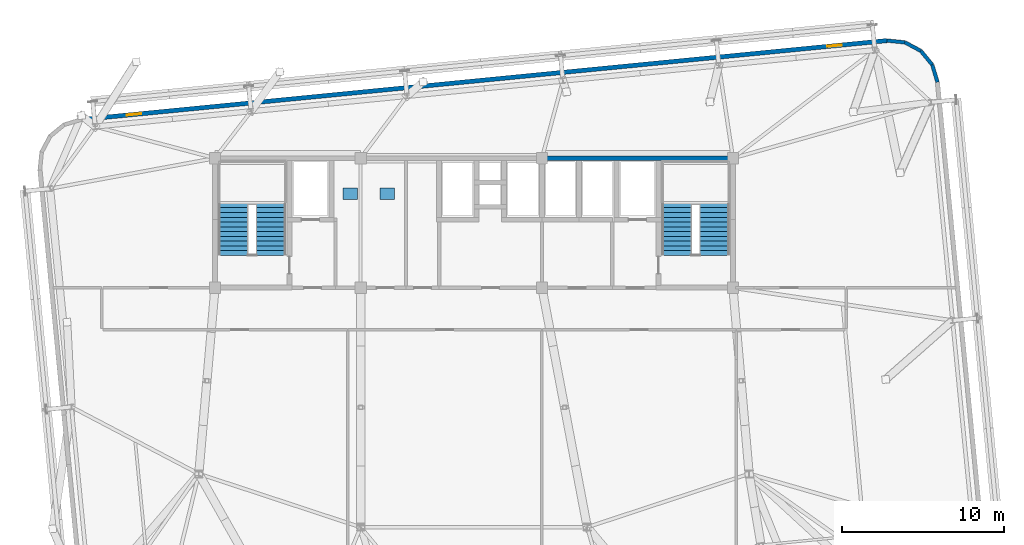
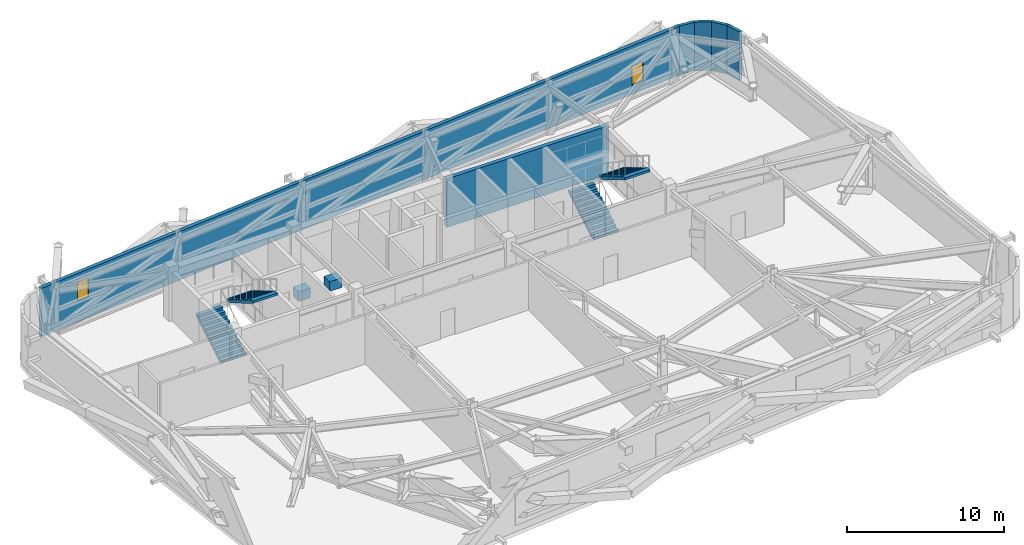
# One storey, part 23 of 24: 6 walls, 4 stair flights, 2 discrete accessories, 2 windows, 2 openings, 2 elements without a shape of their own.
"""IFC4 building model written with IfcOpenShell, lengths in metres."""

from ifc_helpers import new_model, si_unit, direction, frame, frame_2d, origin, origin_2d, place, context, subcontext, project, spatial, polyline, rectangle, outline, extrude, source, transform, mapped, material, layer, layer_set, type_object, element, fill, aggregate, save


model = new_model("IFC4")

# Units and contexts
model_context = context("Model", 3, precision=1e-05, world=origin(), true_north=direction((0.0, 1.0)))
body_context = subcontext(model_context, "Body", "Model", "MODEL_VIEW")
ifc_project = project(units=[si_unit("LENGTHUNIT", "METRE"), si_unit("AREAUNIT", "SQUARE_METRE"), si_unit("VOLUMEUNIT", "CUBIC_METRE"), si_unit("PLANEANGLEUNIT", "RADIAN"), si_unit("MASSUNIT", "GRAM", prefix="KILO")], contexts=[model_context])

# Site, building, storey
site_placement = place(None, origin())
site = spatial("IfcSite", under=ifc_project, at=site_placement, CompositionType="ELEMENT")
building_placement = place(site_placement, origin())
building = spatial("IfcBuilding", under=site, at=building_placement, Name="Taldren Reach Tower", CompositionType="ELEMENT")
storey_placement = place(building_placement, frame((0.0, 0.0, 112.35009765625)))
storey = spatial("IfcBuildingStorey", under=building, at=storey_placement, Name="L34", CompositionType="ELEMENT", Elevation=112.35009765625)

# Walls
ifc_material_1 = material(Name="Pale Champagne Anodised Aluminium Cladding", Category="aluminium")
ifc_layer_1 = layer(ifc_material_1, 0.04, Name="Pale Champagne Anodised Aluminium Cladding", Category="aluminium")
ifc_material_2 = material(Name="Mineral Wool Acoustic Insulation", Category="insulation")
ifc_layer_2 = layer(ifc_material_2, 0.06, Name="Mineral Wool Acoustic Insulation", Category="insulation")
ifc_material_3 = material(Name="Steel Gr 350 (C350L0)", Category="steel")
ifc_layer_3 = layer(ifc_material_3, 0.12, Name="Steel Gr 350 (C350L0)", Category="steel")
ifc_layer_set_1 = layer_set([ifc_layer_1, ifc_layer_2, ifc_layer_3], Name="Pale Champagne Aluminium Cladding and Steel Gr 350 Stud Framing")
wall_type_1 = type_object("IfcWallType", Name="EW-CRN-220", PredefinedType="SOLIDWALL", material=ifc_layer_set_1)
shared_shape_1 = source(origin(), body_context, "Body", "SweptSolid", [
    extrude(rectangle(XDim=1.11572265625, YDim=0.219970703125, at=frame_2d((0.557861328125, 0.0))), origin(), (0.0, 0.0, 1.0), 3.77978515625),
])
wall_1_placement = place(storey_placement, frame((63.314208984375, 37.766357421875, 0.0), z_axis=(0.0, 0.0, 1.0), x_axis=(-0.634095287989, 0.773254916409, 0.0)))
element("IfcWall", 1, at=wall_1_placement, inside=storey, type_object=wall_type_1, Name="Rounded-corner pale-metal facade wall L34-NE2", PredefinedType="SOLIDWALL", context=body_context, shape_type="MappedRepresentation", body=[
    mapped(shared_shape_1, transform((0.0, 0.0, 0.0), scale=1.0)),
])
shared_shape_2 = source(origin(), body_context, "Body", "SweptSolid", [
    extrude(rectangle(XDim=1.115966796875, YDim=0.219970703125, at=frame_2d((0.55810546875, 0.0))), origin(), (0.0, 0.0, 1.0), 3.77978515625),
])
for number, where, z_axis, x_axis, name in (
    (2, (63.6376953125, 36.6982421875, 0.0), (0.0, 0.0, 1.0), (-0.289855603468, 0.957070388811, 0.0), "Rounded-corner pale-metal facade wall L34-NE1"),
    (3, (62.606689453125, 38.629150390625, 0.0), (0.0, 0.0, 1.0), (-0.881655534635, 0.471893545461, 0.0), "Rounded-corner pale-metal facade wall L34-NE3"),
    (4, (61.622802734375, 39.15576171875, 0.0), (0.0, 0.0, 1.0), (-0.995142755671, 0.09844234778, 0.0), "Rounded-corner pale-metal facade wall L34-NE4"),
):
    element("IfcWall", number, at=place(storey_placement, frame(where, z_axis=z_axis, x_axis=x_axis)), inside=storey, type_object=wall_type_1, Name=name, PredefinedType="SOLIDWALL", context=body_context, shape_type="MappedRepresentation", body=[
        mapped(shared_shape_2, transform((0.0, 0.0, 0.0), scale=1.0)),
    ])

# Wall, openings, windows
ifc_material_4 = material(Name="Perforated Anodised Aluminium Acoustic Liner", Category="aluminium")
ifc_layer_4 = layer(ifc_material_4, 0.04, Name="Perforated Anodised Aluminium Acoustic Liner", Category="aluminium")
ifc_layer_5 = layer(ifc_material_2, 0.08, Name="Mineral Wool Acoustic Insulation", Category="insulation")
ifc_layer_6 = layer(ifc_material_3, 0.15, Name="Steel Gr 350 (C350L0)", Category="steel")
ifc_layer_set_2 = layer_set([ifc_layer_4, ifc_layer_5, ifc_layer_6], Name="Perforated Anodised Aluminium Liner and Steel Gr 350 Stud Framing")
wall_type_2 = type_object("IfcWallType", Name="EW-PLT-270", PredefinedType="SOLIDWALL", material=ifc_layer_set_2)
shared_shape_3 = source(origin(), body_context, "Body", "SweptSolid", [
    extrude(rectangle(XDim=49.999755859375, YDim=0.27001953125, at=frame_2d((25.0, 0.0))), origin(), (0.0, 0.0, 1.0), 3.77978515625),
])
wall_2_placement = place(storey_placement, frame((60.51220703125, 39.265625, 0.0), z_axis=(0.0, 0.0, 1.0), x_axis=(-0.995227362914, -0.0975832778, 0.0)))
wall_2 = element("IfcWall", 5, at=wall_2_placement, inside=storey, type_object=wall_type_2, Name="Plant floor perimeter enclosure wall L34-N", PredefinedType="SOLIDWALL", context=body_context, shape_type="MappedRepresentation", body=[
    mapped(shared_shape_3, transform((0.0, 0.0, 0.0), scale=1.0)),
])
shared_shape_4 = source(origin(), body_context, "Body", "SweptSolid", [
    extrude(rectangle(XDim=0.89990234375, YDim=1.5, at=frame_2d((0.449951171875, 0.75))), frame((0.0, 0.14501953125, 0.0), z_axis=(0.0, -1.0, 0.0), x_axis=(1.0, 0.0, 0.0)), (0.0, 0.0, 1.0), 0.2900390625),
])
opening_1_placement = place(wall_2_placement, frame((2.800048828125, 0.0, 0.699951171875)))
opening_1 = element("IfcOpeningElement", 6, at=opening_1_placement, cuts=wall_2, Name="Opening W-0915", PredefinedType="OPENING", context=body_context, shape_type="MappedRepresentation", body=[
    mapped(shared_shape_4, transform((0.0, 0.0, 0.0), scale=1.0)),
])
opening_2_placement = place(wall_2_placement, frame((46.300048828125, 0.0, 1.60009765625)))
opening_2 = element("IfcOpeningElement", 7, at=opening_2_placement, cuts=wall_2, Name="Opening W-0915", PredefinedType="OPENING", context=body_context, shape_type="MappedRepresentation", body=[
    mapped(shared_shape_4, transform((0.0, 0.0, 0.0), scale=1.0)),
])
ifc_material_5 = material(Name="Thermally Broken Aluminium and Low-E IGU", Category="aluminium")
window_type = type_object("IfcWindowType", Name="WN-REF-0900", PartitioningType="SINGLE_PANEL", PredefinedType="WINDOW", material=ifc_material_5)
shared_shape_5 = source(origin(), body_context, "Body", "SweptSolid", [
    extrude(rectangle(XDim=0.89990234375, YDim=1.5, at=frame_2d((0.449951171875, 0.75))), frame((0.0, 0.030029296875, 0.0), z_axis=(0.0, -1.0, 0.0), x_axis=(1.0, 0.0, 0.0)), (0.0, 0.0, 1.0), 0.06005859375),
])
window_1_placement = place(opening_1_placement, origin())
window_1 = element("IfcWindow", 8, at=window_1_placement, inside=storey, type_object=window_type, Name="Refuge area daylight window L34-1", OverallHeight=1.5, OverallWidth=0.89990234375, PartitioningType="SINGLE_PANEL", PredefinedType="WINDOW", context=body_context, shape_type="MappedRepresentation", body=[
    mapped(shared_shape_5, transform((0.0, 0.0, 0.0), scale=1.0)),
])
fill(opening_1, window_1)
window_2_placement = place(opening_2_placement, origin())
window_2 = element("IfcWindow", 9, at=window_2_placement, inside=storey, type_object=window_type, Name="Refuge area daylight window L34-2", OverallHeight=1.5, OverallWidth=0.89990234375, PartitioningType="SINGLE_PANEL", PredefinedType="WINDOW", context=body_context, shape_type="MappedRepresentation", body=[
    mapped(shared_shape_5, transform((0.0, 0.0, 0.0), scale=1.0)),
])
fill(opening_2, window_2)

# Wall
ifc_material_6 = material(Name="Concrete S65 (65 MPa)", Category="concrete")
ifc_layer_7 = layer(ifc_material_6, 0.300048828125)
ifc_layer_set_3 = layer_set([ifc_layer_7], Name="Concrete S65 (65 MPa)")
wall_type_3 = type_object("IfcWallType", Name="IW-CORE-300", PredefinedType="SHEAR", material=ifc_layer_set_3)
shared_shape_6 = source(origin(), body_context, "Body", "SweptSolid", [
    extrude(rectangle(XDim=11.949951171875, YDim=0.300048828125, at=frame_2d((5.97509765625, 0.0))), origin(), (0.0, 0.0, 1.0), 3.77978515625),
])
wall_3_placement = place(storey_placement, frame((39.199951171875, 32.0, 0.0), z_axis=(0.0, 0.0, 1.0), x_axis=(1.0, 0.0, 0.0)))
element("IfcWall", 10, at=wall_3_placement, inside=storey, type_object=wall_type_3, Name="Rear Core Shear Wall W-CORE-L34-NORTH3", PredefinedType="SHEAR", context=body_context, shape_type="MappedRepresentation", body=[
    mapped(shared_shape_6, transform((0.0, 0.0, 0.0), scale=1.0)),
])

# Stair, stair flights
ifc_material_7 = material(Name="Concrete S50 (50 MPa)", Category="concrete")
stair_type = type_object("IfcStairType", Name="ST-HT-420", PredefinedType="HALF_TURN_STAIR", material=ifc_material_7)
stair_1_placement = place(storey_placement, origin())
stair_1 = element("IfcStair", 11, at=stair_1_placement, inside=storey, type_object=stair_type, Name="Fire-isolated exit stair ST1 L34", PredefinedType="HALF_TURN_STAIR")
stair_flight_type = type_object("IfcStairFlightType", Name="SF-STR-420", PredefinedType="STRAIGHT", material=ifc_material_7)
stair_flight_1_placement = place(storey_placement, frame((20.139892578125, 25.989990234375, 0.0), z_axis=(0.0, 0.0, 1.0), x_axis=(0.0, 1.0, 0.0)))
stair_flight_1 = element("IfcStairFlight", 12, at=stair_flight_1_placement, type_object=stair_flight_type, Name="ST1 flight 1", NumberOfRisers=12, NumberOfTreads=11, PredefinedType="STRAIGHT", RiserHeight=0.175, TreadLength=0.295, context=body_context, shape_type="SweptSolid", body=[
    extrude(outline(polyline([(0.0, 0.0), (0.0, 0.175048828125), (0.294921875, 0.175048828125), (0.294921875, 0.35009765625), (0.590087890625, 0.35009765625), (0.590087890625, 0.52490234375), (0.885009765625, 0.52490234375), (0.885009765625, 0.699951171875), (1.179931640625, 0.699951171875), (1.179931640625, 0.875), (1.47509765625, 0.875), (1.47509765625, 1.050048828125), (1.77001953125, 1.050048828125), (1.77001953125, 1.22509765625), (2.06494140625, 1.22509765625), (2.06494140625, 1.39990234375), (2.360107421875, 1.39990234375), (2.360107421875, 1.574951171875), (2.655029296875, 1.574951171875), (2.655029296875, 1.75), (2.949951171875, 1.75), (2.949951171875, 1.925048828125), (3.2451171875, 1.925048828125), (3.2451171875, 2.10009765625), (3.2451171875, 1.739013671875), (0.3134765625, 0.0), (0.0, 0.0)])), frame((0.0, 0.919921875, 0.0), z_axis=(0.0, -1.0, 0.0), x_axis=(1.0, 0.0, 0.0)), (0.0, 0.0, 1.0), 1.840087890625),
])
stair_flight_2_placement = place(storey_placement, frame((22.4599609375, 29.235107421875, 2.099853515625), z_axis=(0.0, 0.0, 1.0), x_axis=(0.0, -1.0, 0.0)))
stair_flight_2 = element("IfcStairFlight", 13, at=stair_flight_2_placement, type_object=stair_flight_type, Name="ST1 flight 2", NumberOfRisers=12, NumberOfTreads=11, PredefinedType="STRAIGHT", RiserHeight=0.175, TreadLength=0.295, context=body_context, shape_type="SweptSolid", body=[
    extrude(outline(polyline([(0.0, 0.0), (0.0, 0.175048828125), (0.294921875, 0.175048828125), (0.294921875, 0.35009765625), (0.590087890625, 0.35009765625), (0.590087890625, 0.52490234375), (0.885009765625, 0.52490234375), (0.885009765625, 0.699951171875), (1.179931640625, 0.699951171875), (1.179931640625, 0.875), (1.47509765625, 0.875), (1.47509765625, 1.050048828125), (1.77001953125, 1.050048828125), (1.77001953125, 1.22509765625), (2.06494140625, 1.22509765625), (2.06494140625, 1.39990234375), (2.360107421875, 1.39990234375), (2.360107421875, 1.574951171875), (2.655029296875, 1.574951171875), (2.655029296875, 1.75), (2.949951171875, 1.75), (2.949951171875, 1.925048828125), (3.2451171875, 1.925048828125), (3.2451171875, 2.10009765625), (3.2451171875, 1.739013671875), (0.3134765625, 0.0), (0.0, 0.0)])), frame((0.0, 0.919921875, 0.0), z_axis=(0.0, -1.0, 0.0), x_axis=(1.0, 0.0, 0.0)), (0.0, 0.0, 1.0), 1.840087890625),
])
aggregate(stair_1, [stair_flight_1, stair_flight_2])

stair_2_placement = place(storey_placement, origin())
stair_2 = element("IfcStair", 14, at=stair_2_placement, inside=storey, type_object=stair_type, Name="Fire-isolated exit stair ST2 L34", PredefinedType="HALF_TURN_STAIR")
stair_flight_3_placement = place(storey_placement, frame((47.5400390625, 25.989990234375, 0.0), z_axis=(0.0, 0.0, 1.0), x_axis=(0.0, 1.0, 0.0)))
stair_flight_3 = element("IfcStairFlight", 15, at=stair_flight_3_placement, type_object=stair_flight_type, Name="ST2 flight 1", NumberOfRisers=12, NumberOfTreads=11, PredefinedType="STRAIGHT", RiserHeight=0.175, TreadLength=0.295, context=body_context, shape_type="SweptSolid", body=[
    extrude(outline(polyline([(0.0, 0.0), (0.0, 0.175048828125), (0.294921875, 0.175048828125), (0.294921875, 0.35009765625), (0.590087890625, 0.35009765625), (0.590087890625, 0.52490234375), (0.885009765625, 0.52490234375), (0.885009765625, 0.699951171875), (1.179931640625, 0.699951171875), (1.179931640625, 0.875), (1.47509765625, 0.875), (1.47509765625, 1.050048828125), (1.77001953125, 1.050048828125), (1.77001953125, 1.22509765625), (2.06494140625, 1.22509765625), (2.06494140625, 1.39990234375), (2.360107421875, 1.39990234375), (2.360107421875, 1.574951171875), (2.655029296875, 1.574951171875), (2.655029296875, 1.75), (2.949951171875, 1.75), (2.949951171875, 1.925048828125), (3.2451171875, 1.925048828125), (3.2451171875, 2.10009765625), (3.2451171875, 1.739013671875), (0.3134765625, 0.0), (0.0, 0.0)])), frame((0.0, 0.919921875, 0.0), z_axis=(0.0, -1.0, 0.0), x_axis=(1.0, 0.0, 0.0)), (0.0, 0.0, 1.0), 1.840087890625),
])
stair_flight_4_placement = place(storey_placement, frame((49.860107421875, 29.235107421875, 2.099853515625), z_axis=(0.0, 0.0, 1.0), x_axis=(0.0, -1.0, 0.0)))
stair_flight_4 = element("IfcStairFlight", 16, at=stair_flight_4_placement, type_object=stair_flight_type, Name="ST2 flight 2", NumberOfRisers=12, NumberOfTreads=11, PredefinedType="STRAIGHT", RiserHeight=0.175, TreadLength=0.295, context=body_context, shape_type="SweptSolid", body=[
    extrude(outline(polyline([(0.0, 0.0), (0.0, 0.175048828125), (0.294921875, 0.175048828125), (0.294921875, 0.35009765625), (0.590087890625, 0.35009765625), (0.590087890625, 0.52490234375), (0.885009765625, 0.52490234375), (0.885009765625, 0.699951171875), (1.179931640625, 0.699951171875), (1.179931640625, 0.875), (1.47509765625, 0.875), (1.47509765625, 1.050048828125), (1.77001953125, 1.050048828125), (1.77001953125, 1.22509765625), (2.06494140625, 1.22509765625), (2.06494140625, 1.39990234375), (2.360107421875, 1.39990234375), (2.360107421875, 1.574951171875), (2.655029296875, 1.574951171875), (2.655029296875, 1.75), (2.949951171875, 1.75), (2.949951171875, 1.925048828125), (3.2451171875, 1.925048828125), (3.2451171875, 2.10009765625), (3.2451171875, 1.739013671875), (0.3134765625, 0.0), (0.0, 0.0)])), frame((0.0, 0.919921875, 0.0), z_axis=(0.0, -1.0, 0.0), x_axis=(1.0, 0.0, 0.0)), (0.0, 0.0, 1.0), 1.840087890625),
])
aggregate(stair_2, [stair_flight_3, stair_flight_4])

# Discrete accessories
ifc_material_8 = material(Name="Steel Gr 350 (350PLUS)", Category="steel")
discrete_accessory_type = type_object("IfcDiscreteAccessoryType", Name="ACC-LIFT-MACH", PredefinedType="USERDEFINED", material=ifc_material_8)
shared_shape_7 = source(origin(), body_context, "Body", "SweptSolid", [
    extrude(rectangle(XDim=0.89990234375, YDim=0.699951171875, at=origin_2d()), origin(), (0.0, 0.0, 1.0), 0.75),
])
for number, where, z_axis, x_axis, name in (
    (17, (27.35009765625, 29.800048828125, 0.0), (0.0, 0.0, 1.0), (1.0, 0.0, 0.0), "Gearless traction lift machine PL1"),
    (18, (29.64990234375, 29.800048828125, 0.0), (0.0, 0.0, 1.0), (1.0, 0.0, 0.0), "Gearless traction lift machine PL2"),
):
    element("IfcDiscreteAccessory", number, at=place(storey_placement, frame(where, z_axis=z_axis, x_axis=x_axis)), inside=storey, type_object=discrete_accessory_type, Name=name, ObjectType="LIFT MACHINE", PredefinedType="USERDEFINED", context=body_context, shape_type="MappedRepresentation", body=[
        mapped(shared_shape_7, transform((0.0, 0.0, 0.0), scale=1.0)),
    ])

save(model, "model.ifc")
